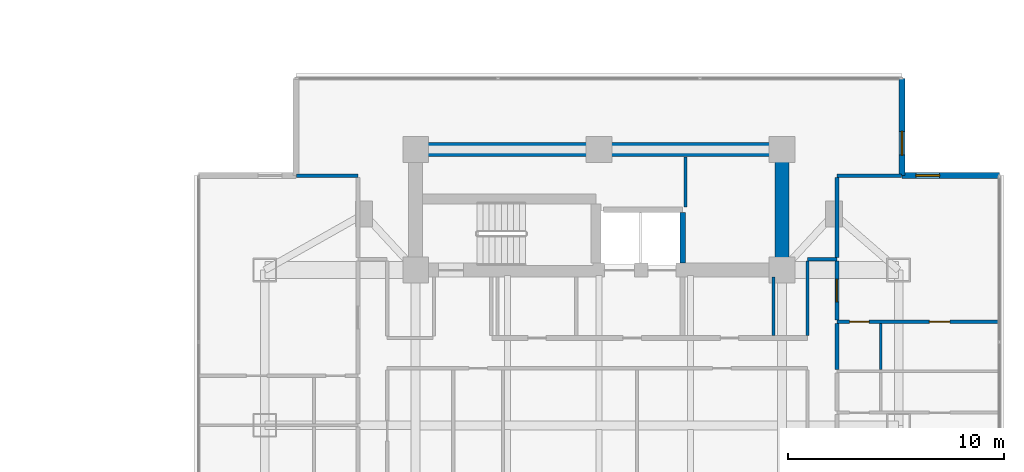
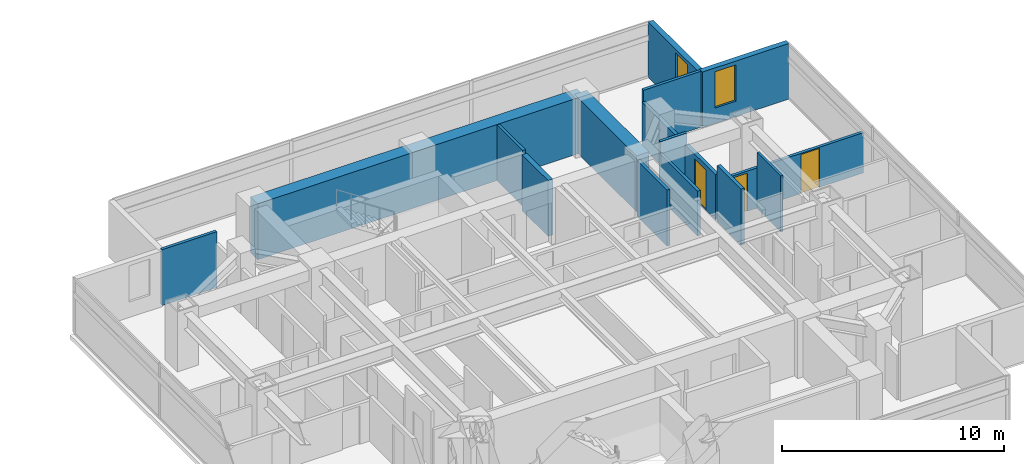
# One storey, part 19 of 26: 16 walls, 3 doors, 2 windows, 5 openings.
"""IFC4 building model written with IfcOpenShell, lengths in metres."""

from ifc_helpers import new_model, si_unit, direction, frame, frame_2d, origin, place, context, subcontext, project, spatial, rectangle, extrude, material, layer, layer_set, type_object, element, fill, save


model = new_model("IFC4")

# Units and contexts
model_context = context("Model", 3, precision=1e-05, world=origin(), true_north=direction((0.0, 1.0)))
body_context = subcontext(model_context, "Body", "Model", "MODEL_VIEW")
ifc_project = project(units=[si_unit("LENGTHUNIT", "METRE"), si_unit("AREAUNIT", "SQUARE_METRE"), si_unit("VOLUMEUNIT", "CUBIC_METRE"), si_unit("PLANEANGLEUNIT", "RADIAN"), si_unit("MASSUNIT", "GRAM", prefix="KILO")], contexts=[model_context])

# Site, building, storey
site_placement = place(None, origin())
site = spatial("IfcSite", under=ifc_project, at=site_placement, CompositionType="ELEMENT")
building_placement = place(site_placement, origin())
building = spatial("IfcBuilding", under=site, at=building_placement, Name="Mirazonda Arch Towers", CompositionType="ELEMENT")
storey_placement = place(building_placement, frame((0.0, 0.0, 108.199951171875)))
storey = spatial("IfcBuildingStorey", under=building, at=storey_placement, Name="L30", CompositionType="ELEMENT", Elevation=108.199951171875)

# Walls
ifc_material_1 = material(Name="Concrete C60/75", Category="concrete")
ifc_layer_1 = layer(ifc_material_1, 0.64990234375, Name="WALL-CORE-650")
ifc_layer_set_1 = layer_set([ifc_layer_1], Name="Concrete C60/75")
wall_type_1 = type_object("IfcWallType", Name="WALL-CORE-650", PredefinedType="SHEAR", material=ifc_layer_set_1)
wall_1_placement = place(storey_placement, frame((68.0, 40.800048828125, 0.0), z_axis=(0.0, 0.0, 1.0), x_axis=(1.0, 0.0, 0.0)))
element("IfcWall", 1, at=wall_1_placement, inside=storey, type_object=wall_type_1, Name="L30 T2N-N Core Shear Wall", PredefinedType="SHEAR", context=body_context, shape_type="SweptSolid", body=[
    extrude(rectangle(XDim=17.0, YDim=0.64990234375, at=frame_2d((8.5, 0.0))), origin(), (0.0, 0.0, 1.0), 3.080078125),
])
wall_2_placement = place(storey_placement, frame((85.0, 35.199951171875, 0.0), z_axis=(0.0, 0.0, 1.0), x_axis=(0.0, 1.0, 0.0)))
element("IfcWall", 2, at=wall_2_placement, inside=storey, type_object=wall_type_1, Name="L30 T2N-E Core Shear Wall", PredefinedType="SHEAR", context=body_context, shape_type="SweptSolid", body=[
    extrude(rectangle(XDim=5.60009765625, YDim=0.64990234375, at=frame_2d((2.800048828125, 0.0))), origin(), (0.0, 0.0, 1.0), 3.080078125),
])

# Wall, opening, window
ifc_material_2 = material(Name="Precast Concrete C40/50", Category="concrete")
ifc_layer_2 = layer(ifc_material_2, 0.280029296875, Name="WALL-EXT-WALL-280")
ifc_layer_set_2 = layer_set([ifc_layer_2], Name="Precast Concrete C40/50")
wall_type_2 = type_object("IfcWallType", Name="WALL-EXT-WALL-280", PredefinedType="SOLIDWALL", material=ifc_layer_set_2)
wall_3_placement = place(storey_placement, frame((90.55419921875, 39.5810546875, 0.0), z_axis=(0.0, 0.0, 1.0), x_axis=(0.0, 1.0, 0.0)))
wall_3 = element("IfcWall", 3, at=wall_3_placement, inside=storey, type_object=wall_type_2, Name="L30 T2 Notched NE Corner Wall WL-L30-T2-CNE", PredefinedType="SOLIDWALL", context=body_context, shape_type="SweptSolid", body=[
    extrude(rectangle(XDim=4.516357421875, YDim=0.280029296875, at=frame_2d((2.25830078125, 0.0))), origin(), (0.0, 0.0, 1.0), 3.06005859375),
])
opening_1_placement = place(wall_3_placement, frame((0.949951171875, 0.0, 0.85009765625)))
opening_1 = element("IfcOpeningElement", 4, at=opening_1_placement, cuts=wall_3, Name="Opening WN-108", PredefinedType="OPENING", context=body_context, shape_type="SweptSolid", body=[
    extrude(rectangle(XDim=1.10009765625, YDim=2.0, at=frame_2d((0.550048828125, 1.0))), frame((0.0, 0.14990234375, 0.0), z_axis=(0.0, -1.0, 0.0), x_axis=(1.0, 0.0, 0.0)), (0.0, 0.0, 1.0), 0.300048828125),
])
ifc_material_3 = material(Name="Insulated Low-E Solar Glass", Category="glass")
window_type = type_object("IfcWindowType", Name="WIN-NOTCH-1100x2000", PartitioningType="SINGLE_PANEL", PredefinedType="WINDOW", material=ifc_material_3)
window_1_placement = place(opening_1_placement, origin())
window_1 = element("IfcWindow", 5, at=window_1_placement, inside=storey, type_object=window_type, Name="L30 Punched Facade Window WN-L30-T2-CNE", OverallHeight=2.0, OverallWidth=1.10009765625, PartitioningType="SINGLE_PANEL", PredefinedType="WINDOW", context=body_context, shape_type="SweptSolid", body=[
    extrude(rectangle(XDim=1.10009765625, YDim=2.0, at=frame_2d((0.550048828125, 1.0))), frame((0.0, 0.030029296875, 0.0), z_axis=(0.0, -1.0, 0.0), x_axis=(1.0, 0.0, 0.0)), (0.0, 0.0, 1.0), 0.06005859375),
])
fill(opening_1, window_1)

wall_4_placement = place(storey_placement, frame((95.070556640625, 39.5810546875, 0.0), z_axis=(0.0, 0.0, 1.0), x_axis=(-1.0, 0.0, 0.0)))
wall_4 = element("IfcWall", 6, at=wall_4_placement, inside=storey, type_object=wall_type_2, Name="L30 T2 Corner Notch Return Wall WL-L30-T2-CNE2", PredefinedType="SOLIDWALL", context=body_context, shape_type="SweptSolid", body=[
    extrude(rectangle(XDim=4.516357421875, YDim=0.280029296875, at=frame_2d((2.25830078125, 0.0))), origin(), (0.0, 0.0, 1.0), 3.06005859375),
])
opening_2_placement = place(wall_4_placement, frame((2.76611328125, 0.0, 0.85009765625)))
opening_2 = element("IfcOpeningElement", 7, at=opening_2_placement, cuts=wall_4, Name="Opening WN-108", PredefinedType="OPENING", context=body_context, shape_type="SweptSolid", body=[
    extrude(rectangle(XDim=1.10009765625, YDim=2.0, at=frame_2d((0.550048828125, 1.0))), frame((0.0, 0.14990234375, 0.0), z_axis=(0.0, -1.0, 0.0), x_axis=(1.0, 0.0, 0.0)), (0.0, 0.0, 1.0), 0.300048828125),
])
window_2_placement = place(opening_2_placement, origin())
window_2 = element("IfcWindow", 8, at=window_2_placement, inside=storey, type_object=window_type, Name="L30 Punched Facade Window WN-L30-T2-CNE2", OverallHeight=2.0, OverallWidth=1.10009765625, PartitioningType="SINGLE_PANEL", PredefinedType="WINDOW", context=body_context, shape_type="SweptSolid", body=[
    extrude(rectangle(XDim=1.10009765625, YDim=2.0, at=frame_2d((0.550048828125, 1.0))), frame((0.0, 0.030029296875, 0.0), z_axis=(0.0, -1.0, 0.0), x_axis=(1.0, 0.0, 0.0)), (0.0, 0.0, 1.0), 0.06005859375),
])
fill(opening_2, window_2)

# Wall, openings, doors
ifc_material_4 = material(Name="Fire-Rated Gypsum Stud Partition")
ifc_layer_3 = layer(ifc_material_4, 0.14990234375, Name="WALL-PART-CORR-150")
ifc_layer_set_3 = layer_set([ifc_layer_3], Name="Fire-Rated Gypsum Stud Partition")
wall_type_3 = type_object("IfcWallType", Name="WALL-PART-CORR-150", PredefinedType="PARTITIONING", material=ifc_layer_set_3)
wall_5_placement = place(storey_placement, frame((87.5400390625, 32.80810546875, 0.0), z_axis=(0.0, 0.0, 1.0), x_axis=(1.0, 0.0, 0.0)))
wall_5 = element("IfcWall", 9, at=wall_5_placement, inside=storey, type_object=wall_type_3, Name="L30 Interior Partition 047", PredefinedType="PARTITIONING", context=body_context, shape_type="SweptSolid", body=[
    extrude(rectangle(XDim=7.530029296875, YDim=0.14990234375, at=frame_2d((3.76513671875, 0.0))), origin(), (0.0, 0.0, 1.0), 2.216064453125),
])
opening_3_placement = place(wall_5_placement, frame((4.2900390625, 0.0, 0.0)))
opening_3 = element("IfcOpeningElement", 10, at=opening_3_placement, cuts=wall_5, Name="Opening DR-104", PredefinedType="OPENING", context=body_context, shape_type="SweptSolid", body=[
    extrude(rectangle(XDim=0.949951171875, YDim=2.14990234375, at=frame_2d((0.47509765625, 1.074951171875))), frame((0.0, 0.0849609375, 0.0), z_axis=(0.0, -1.0, 0.0), x_axis=(1.0, 0.0, 0.0)), (0.0, 0.0, 1.0), 0.169921875),
])
opening_4_placement = place(wall_5_placement, frame((0.590087890625, 0.0, 0.0)))
opening_4 = element("IfcOpeningElement", 11, at=opening_4_placement, cuts=wall_5, Name="Opening DR-120", PredefinedType="OPENING", context=body_context, shape_type="SweptSolid", body=[
    extrude(rectangle(XDim=0.89990234375, YDim=2.10009765625, at=frame_2d((0.449951171875, 1.050048828125))), frame((0.0, 0.0849609375, 0.0), z_axis=(0.0, -1.0, 0.0), x_axis=(1.0, 0.0, 0.0)), (0.0, 0.0, 1.0), 0.169921875),
])
ifc_material_5 = material(Name="Architectural Brushed Steel S355", Category="steel")
door_type_1 = type_object("IfcDoorType", Name="DOOR-ROOM-950", OperationType="NOTDEFINED", PredefinedType="DOOR", material=ifc_material_5)
door_1_placement = place(opening_3_placement, origin())
door_1 = element("IfcDoor", 12, at=door_1_placement, inside=storey, type_object=door_type_1, Name="L30 Guestroom Study 3 Door", OperationType="SINGLE_SWING_LEFT", OverallHeight=2.14990234375, OverallWidth=0.949951171875, PredefinedType="DOOR", context=body_context, shape_type="SweptSolid", body=[
    extrude(rectangle(XDim=0.949951171875, YDim=2.14990234375, at=frame_2d((0.47509765625, 1.074951171875))), frame((0.0, 0.02490234375, 0.0), z_axis=(0.0, -1.0, 0.0), x_axis=(1.0, 0.0, 0.0)), (0.0, 0.0, 1.0), 0.050048828125),
])
fill(opening_3, door_1)
door_type_2 = type_object("IfcDoorType", Name="DOOR-WC-900", OperationType="NOTDEFINED", PredefinedType="DOOR", material=ifc_material_5)
door_2_placement = place(opening_4_placement, origin())
door_2 = element("IfcDoor", 13, at=door_2_placement, inside=storey, type_object=door_type_2, Name="L30 En-Suite Bathroom 3 Door", OperationType="SINGLE_SWING_RIGHT", OverallHeight=2.10009765625, OverallWidth=0.89990234375, PredefinedType="DOOR", context=body_context, shape_type="SweptSolid", body=[
    extrude(rectangle(XDim=0.89990234375, YDim=2.10009765625, at=frame_2d((0.449951171875, 1.050048828125))), frame((0.0, 0.02490234375, 0.0), z_axis=(0.0, -1.0, 0.0), x_axis=(1.0, 0.0, 0.0)), (0.0, 0.0, 1.0), 0.050048828125),
])
fill(opening_4, door_2)

# Walls
wall_6_placement = place(storey_placement, frame((86.179931640625, 35.699951171875, 0.0), z_axis=(0.0, 0.0, 1.0), x_axis=(1.0, 0.0, 0.0)))
element("IfcWall", 14, at=wall_6_placement, inside=storey, type_object=wall_type_3, Name="L30 Interior Partition 055", PredefinedType="PARTITIONING", context=body_context, shape_type="SweptSolid", body=[
    extrude(rectangle(XDim=1.360107421875, YDim=0.14990234375, at=frame_2d((0.68017578125, 0.0))), origin(), (0.0, 0.0, 1.0), 3.080078125),
])
wall_7_placement = place(storey_placement, frame((62.4658203125, 39.5810546875, 0.0), z_axis=(0.0, 0.0, 1.0), x_axis=(1.0, 0.0, 0.0)))
element("IfcWall", 15, at=wall_7_placement, inside=storey, type_object=wall_type_3, Name="L30 Interior Partition 059", PredefinedType="PARTITIONING", context=body_context, shape_type="SweptSolid", body=[
    extrude(rectangle(XDim=2.854248046875, YDim=0.14990234375, at=frame_2d((1.42724609375, 0.0))), origin(), (0.0, 0.0, 1.0), 3.080078125),
])
wall_8_placement = place(storey_placement, frame((87.5400390625, 39.5810546875, 0.0), z_axis=(0.0, 0.0, 1.0), x_axis=(1.0, 0.0, 0.0)))
element("IfcWall", 16, at=wall_8_placement, inside=storey, type_object=wall_type_3, Name="L30 Interior Partition 060", PredefinedType="PARTITIONING", context=body_context, shape_type="SweptSolid", body=[
    extrude(rectangle(XDim=2.994140625, YDim=0.14990234375, at=frame_2d((1.4970703125, 0.0))), origin(), (0.0, 0.0, 1.0), 3.080078125),
])
wall_9_placement = place(storey_placement, frame((80.52001953125, 38.135009765625, 0.0), z_axis=(0.0, 0.0, 1.0), x_axis=(0.0, 1.0, 0.0)))
element("IfcWall", 17, at=wall_9_placement, inside=storey, type_object=wall_type_3, Name="L30 Interior Partition 156", PredefinedType="PARTITIONING", context=body_context, shape_type="SweptSolid", body=[
    extrude(rectangle(XDim=2.31494140625, YDim=0.14990234375, at=frame_2d((1.157470703125, 0.0))), origin(), (0.0, 0.0, 1.0), 3.080078125),
])
wall_10_placement = place(storey_placement, frame((84.60009765625, 32.169921875, 0.0), z_axis=(0.0, 0.0, 1.0), x_axis=(0.0, 1.0, 0.0)))
element("IfcWall", 18, at=wall_10_placement, inside=storey, type_object=wall_type_3, Name="L30 Interior Partition 158", PredefinedType="PARTITIONING", context=body_context, shape_type="SweptSolid", body=[
    extrude(rectangle(XDim=2.7099609375, YDim=0.14990234375, at=frame_2d((1.35498046875, 0.0))), origin(), (0.0, 0.0, 1.0), 3.080078125),
])
wall_11_placement = place(storey_placement, frame((86.179931640625, 32.169921875, 0.0), z_axis=(0.0, 0.0, 1.0), x_axis=(0.0, 1.0, 0.0)))
element("IfcWall", 19, at=wall_11_placement, inside=storey, type_object=wall_type_3, Name="L30 Interior Partition 161", PredefinedType="PARTITIONING", context=body_context, shape_type="SweptSolid", body=[
    extrude(rectangle(XDim=3.445068359375, YDim=0.14990234375, at=frame_2d((1.72265625, 0.0))), origin(), (0.0, 0.0, 1.0), 2.47216796875),
])
ifc_material_6 = material(Name="Fire-Rated Gypsum Twin-Stud Assembly")
ifc_layer_4 = layer(ifc_material_6, 0.179931640625, Name="WALL-PART-DEMISE-180")
ifc_layer_set_4 = layer_set([ifc_layer_4], Name="Fire-Rated Gypsum Twin-Stud Assembly")
wall_type_4 = type_object("IfcWallType", Name="WALL-PART-DEMISE-180", PredefinedType="PARTITIONING", material=ifc_layer_set_4)
wall_12_placement = place(storey_placement, frame((87.5400390625, 30.58056640625, 0.0), z_axis=(0.0, 0.0, 1.0), x_axis=(0.0, 1.0, 0.0)))
element("IfcWall", 20, at=wall_12_placement, inside=storey, type_object=wall_type_4, Name="L30 Interior Partition 167", PredefinedType="PARTITIONING", context=body_context, shape_type="SweptSolid", body=[
    extrude(rectangle(XDim=2.142333984375, YDim=0.179931640625, at=frame_2d((1.0712890625, 0.0))), origin(), (0.0, 0.0, 1.0), 3.080078125),
])

# Wall, opening, door
wall_13_placement = place(storey_placement, frame((87.5400390625, 32.89306640625, 0.0), z_axis=(0.0, 0.0, 1.0), x_axis=(0.0, 1.0, 0.0)))
wall_13 = element("IfcWall", 21, at=wall_13_placement, inside=storey, type_object=wall_type_4, Name="L30 Interior Partition 168", PredefinedType="PARTITIONING", context=body_context, shape_type="SweptSolid", body=[
    extrude(rectangle(XDim=2.721923828125, YDim=0.179931640625, at=frame_2d((1.36083984375, 0.0))), origin(), (0.0, 0.0, 1.0), 2.47216796875),
])
opening_5_placement = place(wall_13_placement, frame((0.8359375, 0.0, 0.0)))
opening_5 = element("IfcOpeningElement", 22, at=opening_5_placement, cuts=wall_13, Name="Opening DR-121", PredefinedType="OPENING", context=body_context, shape_type="SweptSolid", body=[
    extrude(rectangle(XDim=1.050048828125, YDim=2.199951171875, at=frame_2d((0.52490234375, 1.10009765625))), frame((0.0, 0.099853515625, 0.0), z_axis=(0.0, -1.0, 0.0), x_axis=(1.0, 0.0, 0.0)), (0.0, 0.0, 1.0), 0.199951171875),
])
door_type_3 = type_object("IfcDoorType", Name="DOOR-SUITE-FD60-1050", OperationType="NOTDEFINED", PredefinedType="DOOR", material=ifc_material_5)
door_3_placement = place(opening_5_placement, origin())
door_3 = element("IfcDoor", 23, at=door_3_placement, inside=storey, type_object=door_type_3, Name="L30 King Hotel Guestroom 3 Door", OperationType="SINGLE_SWING_RIGHT", OverallHeight=2.199951171875, OverallWidth=1.050048828125, PredefinedType="DOOR", context=body_context, shape_type="SweptSolid", body=[
    extrude(rectangle(XDim=1.050048828125, YDim=2.199951171875, at=frame_2d((0.52490234375, 1.10009765625))), frame((0.0, 0.02490234375, 0.0), z_axis=(0.0, -1.0, 0.0), x_axis=(1.0, 0.0, 0.0)), (0.0, 0.0, 1.0), 0.050048828125),
])
fill(opening_5, door_3)

# Walls
wall_14_placement = place(storey_placement, frame((87.5400390625, 35.784912109375, 0.0), z_axis=(0.0, 0.0, 1.0), x_axis=(0.0, 1.0, 0.0)))
element("IfcWall", 24, at=wall_14_placement, inside=storey, type_object=wall_type_4, Name="L30 Interior Partition 169", PredefinedType="PARTITIONING", context=body_context, shape_type="SweptSolid", body=[
    extrude(rectangle(XDim=3.711181640625, YDim=0.179931640625, at=frame_2d((1.85546875, 0.0))), origin(), (0.0, 0.0, 1.0), 2.4560546875),
])
ifc_material_7 = material(Name="Acoustic Fire-Rated Gypsum Partition")
ifc_layer_5 = layer(ifc_material_7, 0.125, Name="WALL-PART-UNIT-125")
ifc_layer_set_5 = layer_set([ifc_layer_5], Name="Acoustic Fire-Rated Gypsum Partition")
wall_type_5 = type_object("IfcWallType", Name="WALL-PART-UNIT-125", PredefinedType="PARTITIONING", material=ifc_layer_set_5)
wall_15_placement = place(storey_placement, frame((89.580078125, 30.58056640625, 0.0), z_axis=(0.0, 0.0, 1.0), x_axis=(0.0, 1.0, 0.0)))
element("IfcWall", 25, at=wall_15_placement, inside=storey, type_object=wall_type_5, Name="L30 Interior Partition 172", PredefinedType="PARTITIONING", context=body_context, shape_type="SweptSolid", body=[
    extrude(rectangle(XDim=2.142333984375, YDim=0.125, at=frame_2d((1.0712890625, 0.0))), origin(), (0.0, 0.0, 1.0), 3.080078125),
])
ifc_material_8 = material(Name="Concrete C40/50", Category="concrete")
ifc_layer_6 = layer(ifc_material_8, 0.25, Name="WALL-SHAFT-250")
ifc_layer_set_6 = layer_set([ifc_layer_6], Name="Concrete C40/50")
wall_type_6 = type_object("IfcWallType", Name="WALL-SHAFT-250", PredefinedType="SOLIDWALL", material=ifc_layer_set_6)
wall_16_placement = place(storey_placement, frame((80.3798828125, 35.52001953125, 0.0), z_axis=(0.0, 0.0, 1.0), x_axis=(0.0, 1.0, 0.0)))
element("IfcWall", 26, at=wall_16_placement, inside=storey, type_object=wall_type_6, Name="L30 Interior Partition 155", PredefinedType="SOLIDWALL", context=body_context, shape_type="SweptSolid", body=[
    extrude(rectangle(XDim=2.344970703125, YDim=0.25, at=frame_2d((1.17236328125, 0.0))), origin(), (0.0, 0.0, 1.0), 3.080078125),
])

save(model, "model.ifc")
